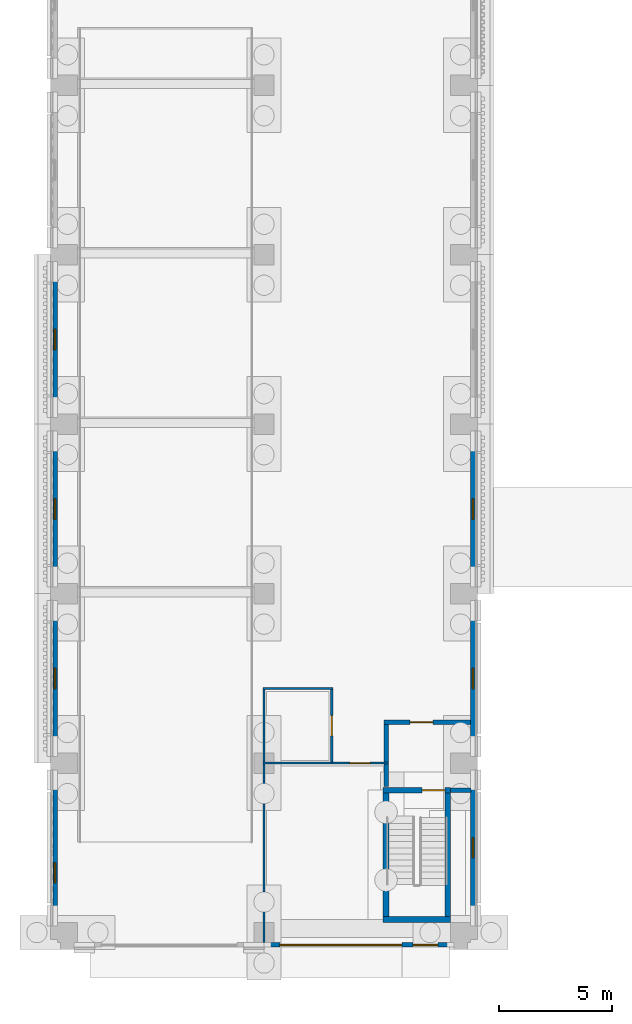
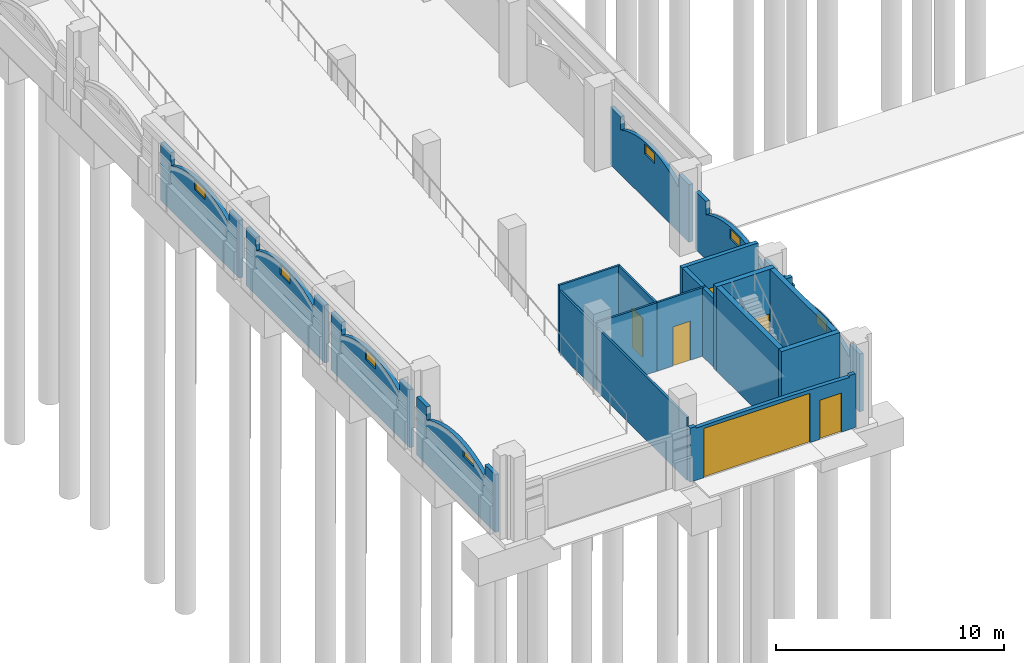
# One storey, part 31 of 99: 22 walls, 7 windows, 6 doors, 13 openings.
"""IFC4 building model written with IfcOpenShell, lengths in metres."""

from ifc_helpers import new_model, si_unit, direction, frame, frame_2d, origin, place, context, subcontext, project, spatial, polyline, rectangle, outline, extrude, material, layer, layer_set, type_object, element, fill, save


model = new_model("IFC4")

# Units and contexts
model_context = context("Model", 3, precision=1e-05, world=origin(), true_north=direction((0.0, 1.0)))
body_context = subcontext(model_context, "Body", "Model", "MODEL_VIEW")
ifc_project = project(units=[si_unit("LENGTHUNIT", "METRE"), si_unit("AREAUNIT", "SQUARE_METRE"), si_unit("VOLUMEUNIT", "CUBIC_METRE"), si_unit("PLANEANGLEUNIT", "RADIAN"), si_unit("MASSUNIT", "GRAM", prefix="KILO")], contexts=[model_context])

# Site, building, storey
site_placement = place(None, origin())
site = spatial("IfcSite", under=ifc_project, at=site_placement, CompositionType="ELEMENT")
building_placement = place(site_placement, origin())
building = spatial("IfcBuilding", under=site, at=building_placement, Name="Cour d'Honneur Mobility Palace", CompositionType="ELEMENT")
storey_placement = place(building_placement, origin())
storey = spatial("IfcBuildingStorey", under=building, at=storey_placement, Name="L00", CompositionType="ELEMENT", Elevation=0.0)

# Wall, openings, doors
ifc_material_1 = material(Name="Concrete C40", Category="concrete")
ifc_layer_1 = layer(ifc_material_1, 0.199951171875)
ifc_layer_set_1 = layer_set([ifc_layer_1], Name="Concrete C40")
wall_type_1 = type_object("IfcWallType", Name="Arch infill panel", PredefinedType="SOLIDWALL", material=ifc_layer_set_1)
wall_1_placement = place(storey_placement, frame((8.699951171875, -0.550048828125, 0.0), z_axis=(0.0, 0.0, 1.0), x_axis=(1.0, 0.0, 0.0)))
wall_1 = element("IfcWall", 1, at=wall_1_placement, inside=storey, type_object=wall_type_1, Name="Arch infill panel IP-2", PredefinedType="SOLIDWALL", context=body_context, shape_type="SweptSolid", body=[
    extrude(outline(polyline([(0.0, 0.0), (8.400146484375, 0.0), (8.39990234375, 2.89990234375), (8.10205078125, 2.89990234375), (8.10009765625, 2.800048828125), (7.612548828125, 2.811767578125), (7.125, 2.82177734375), (6.637451171875, 2.83056640625), (6.14990234375, 2.83740234375), (5.66259765625, 2.843017578125), (5.175048828125, 2.846923828125), (4.6875, 2.84912109375), (4.199951171875, 2.85009765625), (3.71240234375, 2.84912109375), (3.22509765625, 2.846923828125), (2.737548828125, 2.843017578125), (2.25, 2.83740234375), (1.762451171875, 2.83056640625), (1.27490234375, 2.82177734375), (0.78759765625, 2.811767578125), (0.300048828125, 2.800048828125), (0.298095703125, 2.89990234375), (0.0, 2.89990234375), (0.0, 0.0)])), frame((0.0, 0.10009765625, 0.0), z_axis=(0.0, -1.0, 0.0), x_axis=(1.0, 0.0, 0.0)), (0.0, 0.0, 1.0), 0.199951171875),
])
opening_1_placement = place(wall_1_placement, frame((0.699951171875, 0.0, 0.0)))
opening_1 = element("IfcOpeningElement", 2, at=opening_1_placement, cuts=wall_1, Name="Opening G2-1", PredefinedType="OPENING", context=body_context, shape_type="SweptSolid", body=[
    extrude(rectangle(XDim=5.39990234375, YDim=2.64990234375, at=frame_2d((2.699951171875, 1.324951171875))), frame((0.0, 0.10986328125, 0.0), z_axis=(0.0, -1.0, 0.0), x_axis=(1.0, 0.0, 0.0)), (0.0, 0.0, 1.0), 0.219970703125),
])
opening_2_placement = place(wall_1_placement, frame((6.60009765625, 0.0, 0.0)))
opening_2 = element("IfcOpeningElement", 3, at=opening_2_placement, cuts=wall_1, Name="Opening D3-1", PredefinedType="OPENING", context=body_context, shape_type="SweptSolid", body=[
    extrude(rectangle(XDim=1.10009765625, YDim=2.10009765625, at=frame_2d((0.550048828125, 1.050048828125))), frame((0.0, 0.10986328125, 0.0), z_axis=(0.0, -1.0, 0.0), x_axis=(1.0, 0.0, 0.0)), (0.0, 0.0, 1.0), 0.219970703125),
])
ifc_material_2 = material(Name="Painted steel", Category="steel")
door_type_1 = type_object("IfcDoorType", Name="Exit door 1100", OperationType="SINGLE_SWING_LEFT", PredefinedType="DOOR", material=ifc_material_2)
door_1_placement = place(opening_2_placement, frame((1.10009765625, 0.0, 0.0), z_axis=(0.0, 0.0, 1.0), x_axis=(-1.0, 0.0, 0.0)))
door_1 = element("IfcDoor", 4, at=door_1_placement, inside=storey, type_object=door_type_1, Name="Exit door 1100 D3-1", OperationType="SINGLE_SWING_LEFT", OverallHeight=2.10009765625, OverallWidth=1.10009765625, PredefinedType="DOOR", context=body_context, shape_type="SweptSolid", body=[
    extrude(rectangle(XDim=1.10009765625, YDim=2.10009765625, at=frame_2d((0.550048828125, 1.050048828125))), frame((0.0, 0.02490234375, 0.0), z_axis=(0.0, -1.0, 0.0), x_axis=(1.0, 0.0, 0.0)), (0.0, 0.0, 1.0), 0.050048828125),
])
fill(opening_2, door_1)
ifc_material_3 = material(Name="Galvanised steel", Category="steel")
door_type_2 = type_object("IfcDoorType", Name="Vehicle gate 5400", OperationType="ROLLINGUP", PredefinedType="GATE", material=ifc_material_3)
door_2_placement = place(opening_1_placement, frame((5.39990234375, 0.0, 0.0), z_axis=(0.0, 0.0, 1.0), x_axis=(-1.0, 0.0, 0.0)))
door_2 = element("IfcDoor", 5, at=door_2_placement, inside=storey, type_object=door_type_2, Name="Vehicle gate 5400 G2-1", OperationType="SINGLE_SWING_LEFT", OverallHeight=2.64990234375, OverallWidth=5.39990234375, PredefinedType="GATE", context=body_context, shape_type="SweptSolid", body=[
    extrude(rectangle(XDim=5.39990234375, YDim=2.64990234375, at=frame_2d((2.699951171875, 1.324951171875))), frame((0.0, 0.02490234375, 0.0), z_axis=(0.0, -1.0, 0.0), x_axis=(1.0, 0.0, 0.0)), (0.0, 0.0, 1.0), 0.050048828125),
])
fill(opening_1, door_2)

# Wall, opening, window
wall_2_placement = place(storey_placement, frame((17.949951171875, 0.300048828125, 0.0), z_axis=(0.0, 0.0, 1.0), x_axis=(0.0, 1.0, 0.0)))
wall_2 = element("IfcWall", 6, at=wall_2_placement, inside=storey, type_object=wall_type_1, Name="Arch infill panel IP-3", PredefinedType="SOLIDWALL", context=body_context, shape_type="SweptSolid", body=[
    extrude(outline(polyline([(0.0, 0.0), (6.89990234375, 0.0), (6.89990234375, 3.10009765625), (6.001953125, 3.10009765625), (6.0, 2.39990234375), (5.68115234375, 2.560302734375), (5.362548828125, 2.69482421875), (5.043701171875, 2.805908203125), (4.72509765625, 2.895263671875), (4.40625, 2.96337890625), (4.08740234375, 3.01171875), (3.768798828125, 3.04052734375), (3.449951171875, 3.050048828125), (3.13134765625, 3.04052734375), (2.8125, 3.01171875), (2.49365234375, 2.96337890625), (2.175048828125, 2.895263671875), (1.856201171875, 2.805908203125), (1.53759765625, 2.69482421875), (1.21875, 2.560302734375), (0.89990234375, 2.39990234375), (0.89794921875, 3.10009765625), (0.0, 3.10009765625), (0.0, 0.0)])), frame((0.0, 0.10009765625, 0.0), z_axis=(0.0, -1.0, 0.0), x_axis=(1.0, 0.0, 0.0)), (0.0, 0.0, 1.0), 0.199951171875),
])
opening_3_placement = place(wall_2_placement, frame((3.0, 0.0, 2.39990234375)))
opening_3 = element("IfcOpeningElement", 7, at=opening_3_placement, cuts=wall_2, Name="Opening WH-1", PredefinedType="OPENING", context=body_context, shape_type="SweptSolid", body=[
    extrude(rectangle(XDim=0.89990234375, YDim=0.531005859375, at=frame_2d((0.449951171875, 0.265625))), frame((0.0, 0.10986328125, 0.0), z_axis=(0.0, -1.0, 0.0), x_axis=(1.0, 0.0, 0.0)), (0.0, 0.0, 1.0), 0.219970703125),
])
ifc_material_4 = material(Name="Aluminium frame and glass", Category="aluminium")
window_type_1 = type_object("IfcWindowType", Name="High-level window 531", PartitioningType="SINGLE_PANEL", PredefinedType="WINDOW", material=ifc_material_4)
window_1_placement = place(opening_3_placement, origin())
window_1 = element("IfcWindow", 8, at=window_1_placement, inside=storey, type_object=window_type_1, Name="High-level window 531 WH-1", OverallHeight=0.531005859375, OverallWidth=0.89990234375, PartitioningType="SINGLE_PANEL", PredefinedType="WINDOW", context=body_context, shape_type="SweptSolid", body=[
    extrude(rectangle(XDim=0.89990234375, YDim=0.531005859375, at=frame_2d((0.449951171875, 0.265625))), frame((0.0, 0.030029296875, 0.0), z_axis=(0.0, -1.0, 0.0), x_axis=(1.0, 0.0, 0.0)), (0.0, 0.0, 1.0), 0.06005859375),
])
fill(opening_3, window_1)

wall_3_placement = place(storey_placement, frame((17.949951171875, 7.800048828125, 0.0), z_axis=(0.0, 0.0, 1.0), x_axis=(0.0, 1.0, 0.0)))
wall_3 = element("IfcWall", 9, at=wall_3_placement, inside=storey, type_object=wall_type_1, Name="Arch infill panel IP-4", PredefinedType="SOLIDWALL", context=body_context, shape_type="SweptSolid", body=[
    extrude(outline(polyline([(0.0, 0.0), (6.89990234375, 0.0), (6.89990234375, 3.10009765625), (6.001953125, 3.10009765625), (6.0, 2.39990234375), (5.68115234375, 2.560302734375), (5.362548828125, 2.69482421875), (5.043701171875, 2.805908203125), (4.72509765625, 2.895263671875), (4.40625, 2.96337890625), (4.08740234375, 3.01171875), (3.768798828125, 3.04052734375), (3.449951171875, 3.050048828125), (3.13134765625, 3.04052734375), (2.8125, 3.01171875), (2.49365234375, 2.96337890625), (2.175048828125, 2.895263671875), (1.856201171875, 2.805908203125), (1.53759765625, 2.69482421875), (1.21875, 2.560302734375), (0.89990234375, 2.39990234375), (0.89794921875, 3.10009765625), (0.0, 3.10009765625), (0.0, 0.0)])), frame((0.0, 0.10009765625, 0.0), z_axis=(0.0, -1.0, 0.0), x_axis=(1.0, 0.0, 0.0)), (0.0, 0.0, 1.0), 0.199951171875),
])
opening_4_placement = place(wall_3_placement, frame((3.0, 0.0, 2.39990234375)))
opening_4 = element("IfcOpeningElement", 10, at=opening_4_placement, cuts=wall_3, Name="Opening WH-2", PredefinedType="OPENING", context=body_context, shape_type="SweptSolid", body=[
    extrude(rectangle(XDim=0.89990234375, YDim=0.531005859375, at=frame_2d((0.449951171875, 0.265625))), frame((0.0, 0.10986328125, 0.0), z_axis=(0.0, -1.0, 0.0), x_axis=(1.0, 0.0, 0.0)), (0.0, 0.0, 1.0), 0.219970703125),
])
window_2_placement = place(opening_4_placement, origin())
window_2 = element("IfcWindow", 11, at=window_2_placement, inside=storey, type_object=window_type_1, Name="High-level window 531 WH-2", OverallHeight=0.531005859375, OverallWidth=0.89990234375, PartitioningType="SINGLE_PANEL", PredefinedType="WINDOW", context=body_context, shape_type="SweptSolid", body=[
    extrude(rectangle(XDim=0.89990234375, YDim=0.531005859375, at=frame_2d((0.449951171875, 0.265625))), frame((0.0, 0.030029296875, 0.0), z_axis=(0.0, -1.0, 0.0), x_axis=(1.0, 0.0, 0.0)), (0.0, 0.0, 1.0), 0.06005859375),
])
fill(opening_4, window_2)

wall_4_placement = place(storey_placement, frame((17.949951171875, 15.300048828125, 0.0), z_axis=(0.0, 0.0, 1.0), x_axis=(0.0, 1.0, 0.0)))
wall_4 = element("IfcWall", 12, at=wall_4_placement, inside=storey, type_object=wall_type_1, Name="Arch infill panel IP-5", PredefinedType="SOLIDWALL", context=body_context, shape_type="SweptSolid", body=[
    extrude(outline(polyline([(0.0, 0.0), (6.89990234375, 0.0), (6.89990234375, 3.10009765625), (6.001953125, 3.10009765625), (6.0, 2.39990234375), (5.68115234375, 2.560302734375), (5.362548828125, 2.69482421875), (5.043701171875, 2.805908203125), (4.72509765625, 2.895263671875), (4.40625, 2.96337890625), (4.08740234375, 3.01171875), (3.768798828125, 3.04052734375), (3.449951171875, 3.050048828125), (3.13134765625, 3.04052734375), (2.8125, 3.01171875), (2.49365234375, 2.96337890625), (2.175048828125, 2.895263671875), (1.856201171875, 2.805908203125), (1.53759765625, 2.69482421875), (1.21875, 2.560302734375), (0.89990234375, 2.39990234375), (0.89794921875, 3.10009765625), (0.0, 3.10009765625), (0.0, 0.0)])), frame((0.0, 0.10009765625, 0.0), z_axis=(0.0, -1.0, 0.0), x_axis=(1.0, 0.0, 0.0)), (0.0, 0.0, 1.0), 0.199951171875),
])
opening_5_placement = place(wall_4_placement, frame((3.0, 0.0, 2.39990234375)))
opening_5 = element("IfcOpeningElement", 13, at=opening_5_placement, cuts=wall_4, Name="Opening WH-3", PredefinedType="OPENING", context=body_context, shape_type="SweptSolid", body=[
    extrude(rectangle(XDim=0.89990234375, YDim=0.531005859375, at=frame_2d((0.449951171875, 0.265625))), frame((0.0, 0.10986328125, 0.0), z_axis=(0.0, -1.0, 0.0), x_axis=(1.0, 0.0, 0.0)), (0.0, 0.0, 1.0), 0.219970703125),
])
window_3_placement = place(opening_5_placement, origin())
window_3 = element("IfcWindow", 14, at=window_3_placement, inside=storey, type_object=window_type_1, Name="High-level window 531 WH-3", OverallHeight=0.531005859375, OverallWidth=0.89990234375, PartitioningType="SINGLE_PANEL", PredefinedType="WINDOW", context=body_context, shape_type="SweptSolid", body=[
    extrude(rectangle(XDim=0.89990234375, YDim=0.531005859375, at=frame_2d((0.449951171875, 0.265625))), frame((0.0, 0.030029296875, 0.0), z_axis=(0.0, -1.0, 0.0), x_axis=(1.0, 0.0, 0.0)), (0.0, 0.0, 1.0), 0.06005859375),
])
fill(opening_5, window_3)

wall_5_placement = place(storey_placement, frame((-0.550048828125, 29.699951171875, 0.0), z_axis=(0.0, 0.0, 1.0), x_axis=(0.0, -1.0, 0.0)))
wall_5 = element("IfcWall", 15, at=wall_5_placement, inside=storey, type_object=wall_type_1, Name="Arch infill panel IP-108", PredefinedType="SOLIDWALL", context=body_context, shape_type="SweptSolid", body=[
    extrude(outline(polyline([(0.0, 0.0), (6.89990234375, 0.0), (6.89990234375, 3.10009765625), (6.001953125, 3.10009765625), (6.0, 2.39990234375), (5.68115234375, 2.560302734375), (5.362548828125, 2.69482421875), (5.043701171875, 2.805908203125), (4.72509765625, 2.895263671875), (4.40625, 2.96337890625), (4.08740234375, 3.01171875), (3.768798828125, 3.04052734375), (3.449951171875, 3.050048828125), (3.13134765625, 3.04052734375), (2.8125, 3.01171875), (2.49365234375, 2.96337890625), (2.175048828125, 2.895263671875), (1.856201171875, 2.805908203125), (1.53759765625, 2.69482421875), (1.21875, 2.560302734375), (0.89990234375, 2.39990234375), (0.89794921875, 3.10009765625), (0.0, 3.10009765625), (0.0, 0.0)])), frame((0.0, 0.10009765625, 0.0), z_axis=(0.0, -1.0, 0.0), x_axis=(1.0, 0.0, 0.0)), (0.0, 0.0, 1.0), 0.199951171875),
])
opening_6_placement = place(wall_5_placement, frame((3.0, 0.0, 2.39990234375)))
opening_6 = element("IfcOpeningElement", 16, at=opening_6_placement, cuts=wall_5, Name="Opening WH-41", PredefinedType="OPENING", context=body_context, shape_type="SweptSolid", body=[
    extrude(rectangle(XDim=0.89990234375, YDim=0.531005859375, at=frame_2d((0.449951171875, 0.265625))), frame((0.0, 0.10986328125, 0.0), z_axis=(0.0, -1.0, 0.0), x_axis=(1.0, 0.0, 0.0)), (0.0, 0.0, 1.0), 0.219970703125),
])
window_4_placement = place(opening_6_placement, origin())
window_4 = element("IfcWindow", 17, at=window_4_placement, inside=storey, type_object=window_type_1, Name="High-level window 531 WH-41", OverallHeight=0.531005859375, OverallWidth=0.89990234375, PartitioningType="SINGLE_PANEL", PredefinedType="WINDOW", context=body_context, shape_type="SweptSolid", body=[
    extrude(rectangle(XDim=0.89990234375, YDim=0.531005859375, at=frame_2d((0.449951171875, 0.265625))), frame((0.0, 0.030029296875, 0.0), z_axis=(0.0, -1.0, 0.0), x_axis=(1.0, 0.0, 0.0)), (0.0, 0.0, 1.0), 0.06005859375),
])
fill(opening_6, window_4)

wall_6_placement = place(storey_placement, frame((-0.550048828125, 22.199951171875, 0.0), z_axis=(0.0, 0.0, 1.0), x_axis=(0.0, -1.0, 0.0)))
wall_6 = element("IfcWall", 18, at=wall_6_placement, inside=storey, type_object=wall_type_1, Name="Arch infill panel IP-109", PredefinedType="SOLIDWALL", context=body_context, shape_type="SweptSolid", body=[
    extrude(outline(polyline([(0.0, 0.0), (6.89990234375, 0.0), (6.89990234375, 3.10009765625), (6.001953125, 3.10009765625), (6.0, 2.39990234375), (5.68115234375, 2.560302734375), (5.362548828125, 2.69482421875), (5.043701171875, 2.805908203125), (4.72509765625, 2.895263671875), (4.40625, 2.96337890625), (4.08740234375, 3.01171875), (3.768798828125, 3.04052734375), (3.449951171875, 3.050048828125), (3.13134765625, 3.04052734375), (2.8125, 3.01171875), (2.49365234375, 2.96337890625), (2.175048828125, 2.895263671875), (1.856201171875, 2.805908203125), (1.53759765625, 2.69482421875), (1.21875, 2.560302734375), (0.89990234375, 2.39990234375), (0.89794921875, 3.10009765625), (0.0, 3.10009765625), (0.0, 0.0)])), frame((0.0, 0.10009765625, 0.0), z_axis=(0.0, -1.0, 0.0), x_axis=(1.0, 0.0, 0.0)), (0.0, 0.0, 1.0), 0.199951171875),
])
opening_7_placement = place(wall_6_placement, frame((3.0, 0.0, 2.39990234375)))
opening_7 = element("IfcOpeningElement", 19, at=opening_7_placement, cuts=wall_6, Name="Opening WH-42", PredefinedType="OPENING", context=body_context, shape_type="SweptSolid", body=[
    extrude(rectangle(XDim=0.89990234375, YDim=0.531005859375, at=frame_2d((0.449951171875, 0.265625))), frame((0.0, 0.10986328125, 0.0), z_axis=(0.0, -1.0, 0.0), x_axis=(1.0, 0.0, 0.0)), (0.0, 0.0, 1.0), 0.219970703125),
])
window_5_placement = place(opening_7_placement, origin())
window_5 = element("IfcWindow", 20, at=window_5_placement, inside=storey, type_object=window_type_1, Name="High-level window 531 WH-42", OverallHeight=0.531005859375, OverallWidth=0.89990234375, PartitioningType="SINGLE_PANEL", PredefinedType="WINDOW", context=body_context, shape_type="SweptSolid", body=[
    extrude(rectangle(XDim=0.89990234375, YDim=0.531005859375, at=frame_2d((0.449951171875, 0.265625))), frame((0.0, 0.030029296875, 0.0), z_axis=(0.0, -1.0, 0.0), x_axis=(1.0, 0.0, 0.0)), (0.0, 0.0, 1.0), 0.06005859375),
])
fill(opening_7, window_5)

wall_7_placement = place(storey_placement, frame((-0.550048828125, 14.699951171875, 0.0), z_axis=(0.0, 0.0, 1.0), x_axis=(0.0, -1.0, 0.0)))
wall_7 = element("IfcWall", 21, at=wall_7_placement, inside=storey, type_object=wall_type_1, Name="Arch infill panel IP-110", PredefinedType="SOLIDWALL", context=body_context, shape_type="SweptSolid", body=[
    extrude(outline(polyline([(0.0, 0.0), (6.89990234375, 0.0), (6.89990234375, 3.10009765625), (6.001953125, 3.10009765625), (6.0, 2.39990234375), (5.68115234375, 2.560302734375), (5.362548828125, 2.69482421875), (5.043701171875, 2.805908203125), (4.72509765625, 2.895263671875), (4.40625, 2.96337890625), (4.08740234375, 3.01171875), (3.768798828125, 3.04052734375), (3.449951171875, 3.050048828125), (3.13134765625, 3.04052734375), (2.8125, 3.01171875), (2.49365234375, 2.96337890625), (2.175048828125, 2.895263671875), (1.856201171875, 2.805908203125), (1.53759765625, 2.69482421875), (1.21875, 2.560302734375), (0.89990234375, 2.39990234375), (0.89794921875, 3.10009765625), (0.0, 3.10009765625), (0.0, 0.0)])), frame((0.0, 0.10009765625, 0.0), z_axis=(0.0, -1.0, 0.0), x_axis=(1.0, 0.0, 0.0)), (0.0, 0.0, 1.0), 0.199951171875),
])
opening_8_placement = place(wall_7_placement, frame((3.0, 0.0, 2.39990234375)))
opening_8 = element("IfcOpeningElement", 22, at=opening_8_placement, cuts=wall_7, Name="Opening WH-43", PredefinedType="OPENING", context=body_context, shape_type="SweptSolid", body=[
    extrude(rectangle(XDim=0.89990234375, YDim=0.531005859375, at=frame_2d((0.449951171875, 0.265625))), frame((0.0, 0.10986328125, 0.0), z_axis=(0.0, -1.0, 0.0), x_axis=(1.0, 0.0, 0.0)), (0.0, 0.0, 1.0), 0.219970703125),
])
window_6_placement = place(opening_8_placement, origin())
window_6 = element("IfcWindow", 23, at=window_6_placement, inside=storey, type_object=window_type_1, Name="High-level window 531 WH-43", OverallHeight=0.531005859375, OverallWidth=0.89990234375, PartitioningType="SINGLE_PANEL", PredefinedType="WINDOW", context=body_context, shape_type="SweptSolid", body=[
    extrude(rectangle(XDim=0.89990234375, YDim=0.531005859375, at=frame_2d((0.449951171875, 0.265625))), frame((0.0, 0.030029296875, 0.0), z_axis=(0.0, -1.0, 0.0), x_axis=(1.0, 0.0, 0.0)), (0.0, 0.0, 1.0), 0.06005859375),
])
fill(opening_8, window_6)

wall_8_placement = place(storey_placement, frame((-0.550048828125, 7.199951171875, 0.0), z_axis=(0.0, 0.0, 1.0), x_axis=(0.0, -1.0, 0.0)))
wall_8 = element("IfcWall", 24, at=wall_8_placement, inside=storey, type_object=wall_type_1, Name="Arch infill panel IP-111", PredefinedType="SOLIDWALL", context=body_context, shape_type="SweptSolid", body=[
    extrude(outline(polyline([(0.0, 0.0), (6.89990234375, 0.0), (6.89990234375, 3.10009765625), (6.001953125, 3.10009765625), (6.0, 2.39990234375), (5.68115234375, 2.560302734375), (5.362548828125, 2.69482421875), (5.043701171875, 2.805908203125), (4.72509765625, 2.895263671875), (4.40625, 2.96337890625), (4.08740234375, 3.01171875), (3.768798828125, 3.04052734375), (3.449951171875, 3.050048828125), (3.13134765625, 3.04052734375), (2.8125, 3.01171875), (2.49365234375, 2.96337890625), (2.175048828125, 2.895263671875), (1.856201171875, 2.805908203125), (1.53759765625, 2.69482421875), (1.21875, 2.560302734375), (0.89990234375, 2.39990234375), (0.89794921875, 3.10009765625), (0.0, 3.10009765625), (0.0, 0.0)])), frame((0.0, 0.10009765625, 0.0), z_axis=(0.0, -1.0, 0.0), x_axis=(1.0, 0.0, 0.0)), (0.0, 0.0, 1.0), 0.199951171875),
])
opening_9_placement = place(wall_8_placement, frame((4.10009765625, 0.0, 2.39990234375)))
opening_9 = element("IfcOpeningElement", 25, at=opening_9_placement, cuts=wall_8, Name="Opening WH-44", PredefinedType="OPENING", context=body_context, shape_type="SweptSolid", body=[
    extrude(rectangle(XDim=0.89990234375, YDim=0.319580078125, at=frame_2d((0.449951171875, 0.15966796875))), frame((0.0, 0.10986328125, 0.0), z_axis=(0.0, -1.0, 0.0), x_axis=(1.0, 0.0, 0.0)), (0.0, 0.0, 1.0), 0.219970703125),
])
ifc_material_5 = material(Name="Aluminium frame and glass", Category="aluminium")
window_type_2 = type_object("IfcWindowType", Name="High-level window 320", PartitioningType="SINGLE_PANEL", PredefinedType="WINDOW", material=ifc_material_5)
window_7_placement = place(opening_9_placement, origin())
window_7 = element("IfcWindow", 26, at=window_7_placement, inside=storey, type_object=window_type_2, Name="High-level window 320 WH-44", OverallHeight=0.319580078125, OverallWidth=0.89990234375, PartitioningType="SINGLE_PANEL", PredefinedType="WINDOW", context=body_context, shape_type="SweptSolid", body=[
    extrude(rectangle(XDim=0.89990234375, YDim=0.319580078125, at=frame_2d((0.449951171875, 0.15966796875))), frame((0.0, 0.030029296875, 0.0), z_axis=(0.0, -1.0, 0.0), x_axis=(1.0, 0.0, 0.0)), (0.0, 0.0, 1.0), 0.06005859375),
])
fill(opening_9, window_7)

# Wall
ifc_material_6 = material(Name="Gypsum plasterboard")
ifc_layer_2 = layer(ifc_material_6, 0.10009765625)
ifc_layer_set_2 = layer_set([ifc_layer_2], Name="Gypsum plasterboard")
wall_type_2 = type_object("IfcWallType", Name="Partition 100", PredefinedType="PARTITIONING", material=ifc_layer_set_2)
wall_9_placement = place(storey_placement, frame((8.64990234375, 7.5, 0.0), z_axis=(0.0, 0.0, 1.0), x_axis=(1.0, 0.0, 0.0)))
element("IfcWall", 27, at=wall_9_placement, inside=storey, type_object=wall_type_2, Name="Partition 008", PredefinedType="PARTITIONING", context=body_context, shape_type="SweptSolid", body=[
    extrude(rectangle(XDim=3.050048828125, YDim=0.10009765625, at=frame_2d((1.52490234375, 0.0))), origin(), (0.0, 0.0, 1.0), 3.679931640625),
])

# Wall, opening, door
wall_10_placement = place(storey_placement, frame((11.699951171875, 7.550048828125, 0.0), z_axis=(0.0, 0.0, 1.0), x_axis=(0.0, 1.0, 0.0)))
wall_10 = element("IfcWall", 28, at=wall_10_placement, inside=storey, type_object=wall_type_2, Name="Partition 009", PredefinedType="PARTITIONING", context=body_context, shape_type="SweptSolid", body=[
    extrude(rectangle(XDim=3.199951171875, YDim=0.10009765625, at=frame_2d((1.60009765625, 0.0))), origin(), (0.0, 0.0, 1.0), 3.679931640625),
])
opening_10_placement = place(wall_10_placement, frame((1.14990234375, 0.0, 0.0)))
opening_10 = element("IfcOpeningElement", 29, at=opening_10_placement, cuts=wall_10, Name="Opening D0007", PredefinedType="OPENING", context=body_context, shape_type="SweptSolid", body=[
    extrude(rectangle(XDim=0.89990234375, YDim=2.10009765625, at=frame_2d((0.449951171875, 1.050048828125))), frame((0.0, 0.06005859375, 0.0), z_axis=(0.0, -1.0, 0.0), x_axis=(1.0, 0.0, 0.0)), (0.0, 0.0, 1.0), 0.1201171875),
])
ifc_material_7 = material(Name="Solid timber", Category="wood")
door_type_3 = type_object("IfcDoorType", Name="Single door 900 x 2100", OperationType="SINGLE_SWING_LEFT", PredefinedType="DOOR", material=ifc_material_7)
door_3_placement = place(opening_10_placement, origin())
door_3 = element("IfcDoor", 30, at=door_3_placement, inside=storey, type_object=door_type_3, Name="Door Cashier Kiosk West", OperationType="SINGLE_SWING_RIGHT", OverallHeight=2.10009765625, OverallWidth=0.89990234375, PredefinedType="DOOR", context=body_context, shape_type="SweptSolid", body=[
    extrude(rectangle(XDim=0.89990234375, YDim=2.10009765625, at=frame_2d((0.449951171875, 1.050048828125))), frame((0.0, 0.02490234375, 0.0), z_axis=(0.0, -1.0, 0.0), x_axis=(1.0, 0.0, 0.0)), (0.0, 0.0, 1.0), 0.050048828125),
])
fill(opening_10, door_3)

wall_11_placement = place(storey_placement, frame((14.199951171875, 7.5, 0.0), z_axis=(0.0, 0.0, 1.0), x_axis=(-1.0, 0.0, 0.0)))
wall_11 = element("IfcWall", 31, at=wall_11_placement, inside=storey, type_object=wall_type_2, Name="Partition 011", PredefinedType="PARTITIONING", context=body_context, shape_type="SweptSolid", body=[
    extrude(rectangle(XDim=2.5, YDim=0.10009765625, at=frame_2d((1.25, 0.0))), origin(), (0.0, 0.0, 1.0), 3.679931640625),
])
opening_11_placement = place(wall_11_placement, frame((0.800048828125, 0.0, 0.0)))
opening_11 = element("IfcOpeningElement", 32, at=opening_11_placement, cuts=wall_11, Name="Opening D0009", PredefinedType="OPENING", context=body_context, shape_type="SweptSolid", body=[
    extrude(rectangle(XDim=0.89990234375, YDim=2.10009765625, at=frame_2d((0.449951171875, 1.050048828125))), frame((0.0, 0.06005859375, 0.0), z_axis=(0.0, -1.0, 0.0), x_axis=(1.0, 0.0, 0.0)), (0.0, 0.0, 1.0), 0.1201171875),
])
door_4_placement = place(opening_11_placement, origin())
door_4 = element("IfcDoor", 33, at=door_4_placement, inside=storey, type_object=door_type_3, Name="Door Parking Control Room", OperationType="SINGLE_SWING_RIGHT", OverallHeight=2.10009765625, OverallWidth=0.89990234375, PredefinedType="DOOR", context=body_context, shape_type="SweptSolid", body=[
    extrude(rectangle(XDim=0.89990234375, YDim=2.10009765625, at=frame_2d((0.449951171875, 1.050048828125))), frame((0.0, 0.02490234375, 0.0), z_axis=(0.0, -1.0, 0.0), x_axis=(1.0, 0.0, 0.0)), (0.0, 0.0, 1.0), 0.050048828125),
])
fill(opening_11, door_4)

# Walls
wall_12_placement = place(storey_placement, frame((11.75, 10.800048828125, 0.0), z_axis=(0.0, 0.0, 1.0), x_axis=(-1.0, 0.0, 0.0)))
element("IfcWall", 34, at=wall_12_placement, inside=storey, type_object=wall_type_2, Name="Partition 020", PredefinedType="PARTITIONING", context=body_context, shape_type="SweptSolid", body=[
    extrude(rectangle(XDim=3.10009765625, YDim=0.10009765625, at=frame_2d((1.550048828125, 0.0))), origin(), (0.0, 0.0, 1.0), 3.679931640625),
])
ifc_material_8 = material(Name="Gypsum plasterboard")
ifc_layer_3 = layer(ifc_material_8, 0.10009765625)
ifc_layer_set_3 = layer_set([ifc_layer_3], Name="Gypsum plasterboard")
wall_type_3 = type_object("IfcWallType", Name="Partition 100 under beam 1100", PredefinedType="PARTITIONING", material=ifc_layer_set_3)
wall_13_placement = place(storey_placement, frame((8.699951171875, 7.449951171875, 0.0), z_axis=(0.0, 0.0, 1.0), x_axis=(0.0, -1.0, 0.0)))
element("IfcWall", 35, at=wall_13_placement, inside=storey, type_object=wall_type_3, Name="Partition 007", PredefinedType="PARTITIONING", context=body_context, shape_type="SweptSolid", body=[
    extrude(rectangle(XDim=7.89990234375, YDim=0.10009765625, at=frame_2d((3.949951171875, 0.0))), origin(), (0.0, 0.0, 1.0), 3.39990234375),
])
wall_14_placement = place(storey_placement, frame((8.699951171875, 10.75, 0.0), z_axis=(0.0, 0.0, 1.0), x_axis=(0.0, -1.0, 0.0)))
element("IfcWall", 36, at=wall_14_placement, inside=storey, type_object=wall_type_3, Name="Partition 019", PredefinedType="PARTITIONING", context=body_context, shape_type="SweptSolid", body=[
    extrude(rectangle(XDim=3.199951171875, YDim=0.10009765625, at=frame_2d((1.60009765625, 0.0))), origin(), (0.0, 0.0, 1.0), 3.39990234375),
])
ifc_material_9 = material(Name="Gypsum plasterboard")
ifc_layer_4 = layer(ifc_material_9, 0.199951171875)
ifc_layer_set_4 = layer_set([ifc_layer_4], Name="Gypsum plasterboard")
wall_type_4 = type_object("IfcWallType", Name="Partition 200 rated EI 120", PredefinedType="PARTITIONING", material=ifc_layer_set_4)
wall_15_placement = place(storey_placement, frame((16.949951171875, 6.300048828125, 0.0), z_axis=(0.0, 0.0, 1.0), x_axis=(1.0, 0.0, 0.0)))
element("IfcWall", 37, at=wall_15_placement, inside=storey, type_object=wall_type_4, Name="Partition 004", PredefinedType="PARTITIONING", context=body_context, shape_type="SweptSolid", body=[
    extrude(rectangle(XDim=0.900146484375, YDim=0.199951171875, at=frame_2d((0.4501953125, 0.0))), origin(), (0.0, 0.0, 1.0), 3.679931640625),
])
wall_16_placement = place(storey_placement, frame((14.10009765625, 7.449951171875, 0.0), z_axis=(0.0, 0.0, 1.0), x_axis=(0.0, -1.0, 0.0)))
element("IfcWall", 38, at=wall_16_placement, inside=storey, type_object=wall_type_4, Name="Partition 010", PredefinedType="PARTITIONING", context=body_context, shape_type="SweptSolid", body=[
    extrude(rectangle(XDim=0.974853515625, YDim=0.199951171875, at=frame_2d((0.4873046875, 0.0))), origin(), (0.0, 0.0, 1.0), 3.679931640625),
])
wall_17_placement = place(storey_placement, frame((14.10009765625, 9.199951171875, 0.0), z_axis=(0.0, 0.0, 1.0), x_axis=(0.0, -1.0, 0.0)))
element("IfcWall", 39, at=wall_17_placement, inside=storey, type_object=wall_type_4, Name="Partition 016", PredefinedType="PARTITIONING", context=body_context, shape_type="SweptSolid", body=[
    extrude(rectangle(XDim=1.64990234375, YDim=0.199951171875, at=frame_2d((0.824951171875, 0.0))), origin(), (0.0, 0.0, 1.0), 3.679931640625),
])

# Wall, opening, door
wall_18_placement = place(storey_placement, frame((17.85009765625, 9.300048828125, 0.0), z_axis=(0.0, 0.0, 1.0), x_axis=(-1.0, 0.0, 0.0)))
wall_18 = element("IfcWall", 40, at=wall_18_placement, inside=storey, type_object=wall_type_4, Name="Partition 017", PredefinedType="PARTITIONING", context=body_context, shape_type="SweptSolid", body=[
    extrude(rectangle(XDim=3.85009765625, YDim=0.199951171875, at=frame_2d((1.925048828125, 0.0))), origin(), (0.0, 0.0, 1.0), 3.679931640625),
])
opening_12_placement = place(wall_18_placement, frame((1.679931640625, 0.0, 0.0)))
opening_12 = element("IfcOpeningElement", 41, at=opening_12_placement, cuts=wall_18, Name="Opening D0049", PredefinedType="OPENING", context=body_context, shape_type="SweptSolid", body=[
    extrude(rectangle(XDim=1.0, YDim=2.10009765625, at=frame_2d((0.5, 1.050048828125))), frame((0.0, 0.10986328125, 0.0), z_axis=(0.0, -1.0, 0.0), x_axis=(1.0, 0.0, 0.0)), (0.0, 0.0, 1.0), 0.219970703125),
])
ifc_material_10 = material(Name="Galvanised steel", Category="steel")
door_type_4 = type_object("IfcDoorType", Name="Fire door FD120 1000 x 2100", OperationType="SINGLE_SWING_LEFT", PredefinedType="DOOR", material=ifc_material_10)
door_5_placement = place(opening_12_placement, origin())
door_5 = element("IfcDoor", 42, at=door_5_placement, inside=storey, type_object=door_type_4, Name="Door Stair Lobby RW", OperationType="SINGLE_SWING_LEFT", OverallHeight=2.10009765625, OverallWidth=1.0, PredefinedType="DOOR", context=body_context, shape_type="SweptSolid", body=[
    extrude(rectangle(XDim=1.0, YDim=2.10009765625, at=frame_2d((0.5, 1.050048828125))), frame((0.0, 0.02490234375, 0.0), z_axis=(0.0, -1.0, 0.0), x_axis=(1.0, 0.0, 0.0)), (0.0, 0.0, 1.0), 0.050048828125),
])
fill(opening_12, door_5)

# Wall
ifc_material_11 = material(Name="Concrete C50", Category="concrete")
ifc_layer_5 = layer(ifc_material_11, 0.25)
ifc_layer_set_5 = layer_set([ifc_layer_5], Name="Concrete C50")
wall_type_5 = type_object("IfcWallType", Name="Stair wall 250", PredefinedType="SHEAR", material=ifc_layer_set_5)
wall_19_placement = place(storey_placement, frame((13.97509765625, 0.574951171875, 0.0), z_axis=(0.0, 0.0, 1.0), x_axis=(1.0, 0.0, 0.0)))
element("IfcWall", 43, at=wall_19_placement, inside=storey, type_object=wall_type_5, Name="Stair wall WS-RW1 L00", PredefinedType="SHEAR", context=body_context, shape_type="SweptSolid", body=[
    extrude(rectangle(XDim=2.974853515625, YDim=0.25, at=frame_2d((1.4873046875, 0.0))), origin(), (0.0, 0.0, 1.0), 4.5),
])

# Wall, opening, door
wall_20_placement = place(storey_placement, frame((13.97509765625, 6.300048828125, 0.0), z_axis=(0.0, 0.0, 1.0), x_axis=(1.0, 0.0, 0.0)))
wall_20 = element("IfcWall", 44, at=wall_20_placement, inside=storey, type_object=wall_type_5, Name="Stair wall WS-RW2 L00", PredefinedType="SHEAR", context=body_context, shape_type="SweptSolid", body=[
    extrude(rectangle(XDim=2.974853515625, YDim=0.25, at=frame_2d((1.4873046875, 0.0))), origin(), (0.0, 0.0, 1.0), 4.5),
])
opening_13_placement = place(wall_20_placement, frame((1.72509765625, 0.0, 0.0)))
opening_13 = element("IfcOpeningElement", 45, at=opening_13_placement, cuts=wall_20, Name="Opening S109", PredefinedType="OPENING", context=body_context, shape_type="SweptSolid", body=[
    extrude(rectangle(XDim=1.0, YDim=2.10009765625, at=frame_2d((0.5, 1.050048828125))), frame((0.0, 0.135009765625, 0.0), z_axis=(0.0, -1.0, 0.0), x_axis=(1.0, 0.0, 0.0)), (0.0, 0.0, 1.0), 0.27001953125),
])
ifc_material_12 = material(Name="Galvanised steel", Category="steel")
door_type_5 = type_object("IfcDoorType", Name="Fire door FD120 stair 1000 x 2100", OperationType="SINGLE_SWING_LEFT", PredefinedType="DOOR", material=ifc_material_12)
door_6_placement = place(opening_13_placement, origin())
door_6 = element("IfcDoor", 46, at=door_6_placement, inside=storey, type_object=door_type_5, Name="Stair door ST-RW1 L00", OperationType="SINGLE_SWING_RIGHT", OverallHeight=2.10009765625, OverallWidth=1.0, PredefinedType="DOOR", context=body_context, shape_type="SweptSolid", body=[
    extrude(rectangle(XDim=1.0, YDim=2.10009765625, at=frame_2d((0.5, 1.050048828125))), frame((0.0, 0.02490234375, 0.0), z_axis=(0.0, -1.0, 0.0), x_axis=(1.0, 0.0, 0.0)), (0.0, 0.0, 1.0), 0.050048828125),
])
fill(opening_13, door_6)

# Walls
for number, where, z_axis, x_axis, name in (
    (47, (14.10009765625, 0.699951171875, 0.0), (0.0, 0.0, 1.0), (0.0, 1.0, 0.0), "Stair wall WS-RW3 L00"),
    (48, (16.824951171875, 0.699951171875, 0.0), (0.0, 0.0, 1.0), (0.0, 1.0, 0.0), "Stair wall WS-RW4 L00"),
):
    element("IfcWall", number, at=place(storey_placement, frame(where, z_axis=z_axis, x_axis=x_axis)), inside=storey, type_object=wall_type_5, Name=name, PredefinedType="SHEAR", context=body_context, shape_type="SweptSolid", body=[
        extrude(rectangle(XDim=5.47509765625, YDim=0.25, at=frame_2d((2.737548828125, 0.0))), origin(), (0.0, 0.0, 1.0), 4.5),
    ])

save(model, "model.ifc")
